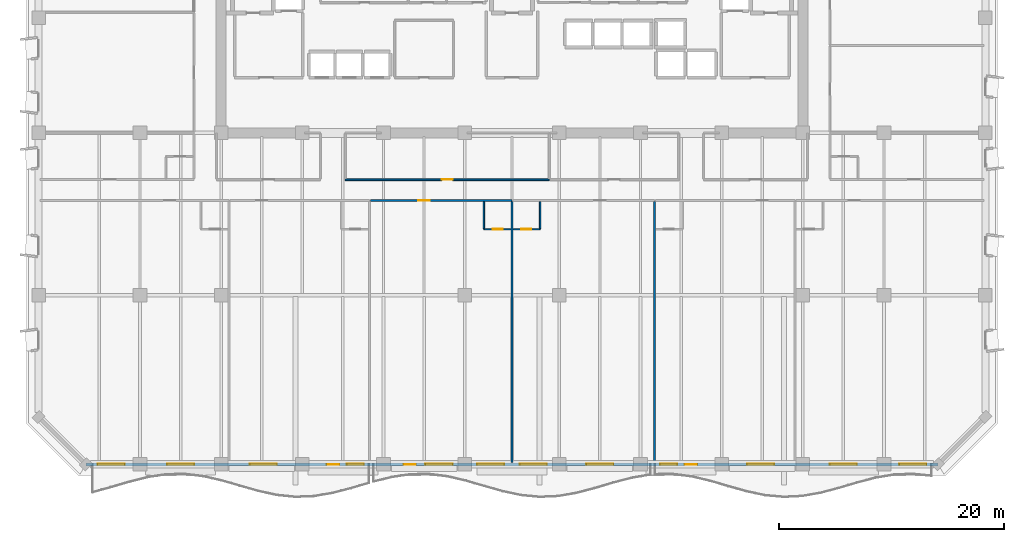
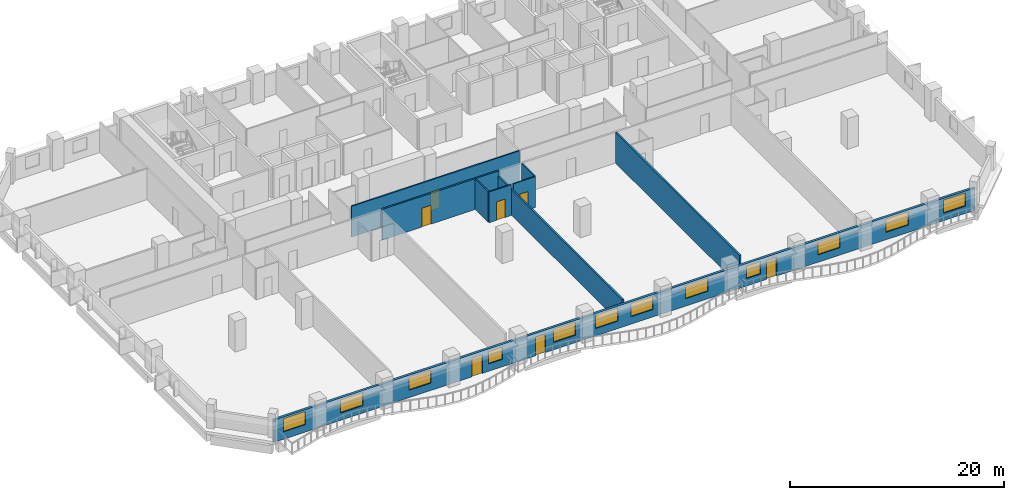
# One storey, part 5 of 15: 12 windows, 9 walls, 7 doors, 19 openings.
"""IFC4 building model written with IfcOpenShell, lengths in metres."""

from ifc_helpers import new_model, si_unit, direction, frame, frame_2d, origin, place, context, subcontext, project, spatial, rectangle, extrude, material, layer, layer_set, type_object, element, fill, save


model = new_model("IFC4")

# Units and contexts
model_context = context("Model", 3, precision=1e-05, world=origin(), true_north=direction((0.0, 1.0)))
body_context = subcontext(model_context, "Body", "Model", "MODEL_VIEW")
ifc_project = project(units=[si_unit("LENGTHUNIT", "METRE"), si_unit("AREAUNIT", "SQUARE_METRE"), si_unit("VOLUMEUNIT", "CUBIC_METRE"), si_unit("PLANEANGLEUNIT", "RADIAN"), si_unit("MASSUNIT", "GRAM", prefix="KILO")], contexts=[model_context])

# Site, building, storey
site_placement = place(None, origin())
site = spatial("IfcSite", under=ifc_project, at=site_placement, CompositionType="ELEMENT")
building_placement = place(site_placement, origin())
building = spatial("IfcBuilding", under=site, at=building_placement, Name="Kaelvorn Grand Hotel", CompositionType="ELEMENT")
storey_placement = place(building_placement, frame((0.0, 0.0, 115.550048828125)))
storey = spatial("IfcBuildingStorey", under=building, at=storey_placement, Name="L27", CompositionType="ELEMENT", Elevation=115.550048828125)

# Wall, openings, doors, windows
ifc_material_1 = material(Name="Concrete C40/50", Category="concrete")
ifc_layer_1 = layer(ifc_material_1, 0.260009765625)
ifc_layer_set_1 = layer_set([ifc_layer_1], Name="Concrete C40/50")
wall_type_1 = type_object("IfcWallType", Name="WL-EXT-260-C40", PredefinedType="SOLIDWALL", material=ifc_layer_set_1)
wall_1_placement = place(storey_placement, frame((4.199951171875, 0.0, 0.0), z_axis=(0.0, 0.0, 1.0), x_axis=(1.0, 0.0, 0.0)))
wall_1 = element("IfcWall", 1, at=wall_1_placement, inside=storey, type_object=wall_type_1, Name="L27 Exterior Architectural Concrete Wall 01", PredefinedType="SOLIDWALL", context=body_context, shape_type="SweptSolid", body=[
    extrude(rectangle(XDim=75.60009765625, YDim=0.260009765625, at=frame_2d((37.800048828125, 0.0))), origin(), (0.0, 0.0, 1.0), 2.56005859375),
])
opening_1_placement = place(wall_1_placement, frame((21.38330078125, 0.0, 0.0)))
opening_1 = element("IfcOpeningElement", 2, at=opening_1_placement, cuts=wall_1, Name="Opening DE2", PredefinedType="OPENING", context=body_context, shape_type="SweptSolid", body=[
    extrude(rectangle(XDim=1.10009765625, YDim=2.14990234375, at=frame_2d((0.550048828125, 1.074951171875))), frame((0.0, 0.14013671875, 0.0), z_axis=(0.0, -1.0, 0.0), x_axis=(1.0, 0.0, 0.0)), (0.0, 0.0, 1.0), 0.280029296875),
])
opening_2_placement = place(wall_1_placement, frame((28.183349609375, 0.0, 0.0)))
opening_2 = element("IfcOpeningElement", 3, at=opening_2_placement, cuts=wall_1, Name="Opening DE2", PredefinedType="OPENING", context=body_context, shape_type="SweptSolid", body=[
    extrude(rectangle(XDim=1.10009765625, YDim=2.14990234375, at=frame_2d((0.550048828125, 1.074951171875))), frame((0.0, 0.14013671875, 0.0), z_axis=(0.0, -1.0, 0.0), x_axis=(1.0, 0.0, 0.0)), (0.0, 0.0, 1.0), 0.280029296875),
])
opening_3_placement = place(wall_1_placement, frame((53.11669921875, 0.0, 0.0)))
opening_3 = element("IfcOpeningElement", 4, at=opening_3_placement, cuts=wall_1, Name="Opening DE2", PredefinedType="OPENING", context=body_context, shape_type="SweptSolid", body=[
    extrude(rectangle(XDim=1.10009765625, YDim=2.14990234375, at=frame_2d((0.550048828125, 1.074951171875))), frame((0.0, 0.14013671875, 0.0), z_axis=(0.0, -1.0, 0.0), x_axis=(1.0, 0.0, 0.0)), (0.0, 0.0, 1.0), 0.280029296875),
])
opening_4_placement = place(wall_1_placement, frame((1.034912109375, 0.0, 0.85009765625)))
opening_4 = element("IfcOpeningElement", 5, at=opening_4_placement, cuts=wall_1, Name="Opening W6", PredefinedType="OPENING", context=body_context, shape_type="SweptSolid", body=[
    extrude(rectangle(XDim=2.39990234375, YDim=1.5, at=frame_2d((1.199951171875, 0.75))), frame((0.0, 0.14013671875, 0.0), z_axis=(0.0, -1.0, 0.0), x_axis=(1.0, 0.0, 0.0)), (0.0, 0.0, 1.0), 0.280029296875),
])
opening_5_placement = place(wall_1_placement, frame((7.199951171875, 0.0, 0.85009765625)))
opening_5 = element("IfcOpeningElement", 6, at=opening_5_placement, cuts=wall_1, Name="Opening W6", PredefinedType="OPENING", context=body_context, shape_type="SweptSolid", body=[
    extrude(rectangle(XDim=2.39990234375, YDim=1.5, at=frame_2d((1.199951171875, 0.75))), frame((0.0, 0.14013671875, 0.0), z_axis=(0.0, -1.0, 0.0), x_axis=(1.0, 0.0, 0.0)), (0.0, 0.0, 1.0), 0.280029296875),
])
opening_6_placement = place(wall_1_placement, frame((14.550048828125, 0.0, 0.85009765625)))
opening_6 = element("IfcOpeningElement", 7, at=opening_6_placement, cuts=wall_1, Name="Opening W6", PredefinedType="OPENING", context=body_context, shape_type="SweptSolid", body=[
    extrude(rectangle(XDim=2.39990234375, YDim=1.5, at=frame_2d((1.199951171875, 0.75))), frame((0.0, 0.14013671875, 0.0), z_axis=(0.0, -1.0, 0.0), x_axis=(1.0, 0.0, 0.0)), (0.0, 0.0, 1.0), 0.280029296875),
])
opening_7_placement = place(wall_1_placement, frame((23.151123046875, 0.0, 0.85009765625)))
opening_7 = element("IfcOpeningElement", 8, at=opening_7_placement, cuts=wall_1, Name="Opening W10", PredefinedType="OPENING", context=body_context, shape_type="SweptSolid", body=[
    extrude(rectangle(XDim=1.5, YDim=1.39990234375, at=frame_2d((0.75, 0.699951171875))), frame((0.0, 0.14013671875, 0.0), z_axis=(0.0, -1.0, 0.0), x_axis=(1.0, 0.0, 0.0)), (0.0, 0.0, 1.0), 0.280029296875),
])
opening_8_placement = place(wall_1_placement, frame((30.126708984375, 0.0, 0.85009765625)))
opening_8 = element("IfcOpeningElement", 9, at=opening_8_placement, cuts=wall_1, Name="Opening W6", PredefinedType="OPENING", context=body_context, shape_type="SweptSolid", body=[
    extrude(rectangle(XDim=2.39990234375, YDim=1.5, at=frame_2d((1.199951171875, 0.75))), frame((0.0, 0.14013671875, 0.0), z_axis=(0.0, -1.0, 0.0), x_axis=(1.0, 0.0, 0.0)), (0.0, 0.0, 1.0), 0.280029296875),
])
opening_9_placement = place(wall_1_placement, frame((34.699951171875, 0.0, 0.85009765625)))
opening_9 = element("IfcOpeningElement", 10, at=opening_9_placement, cuts=wall_1, Name="Opening W6", PredefinedType="OPENING", context=body_context, shape_type="SweptSolid", body=[
    extrude(rectangle(XDim=2.39990234375, YDim=1.5, at=frame_2d((1.199951171875, 0.75))), frame((0.0, 0.14013671875, 0.0), z_axis=(0.0, -1.0, 0.0), x_axis=(1.0, 0.0, 0.0)), (0.0, 0.0, 1.0), 0.280029296875),
])
opening_10_placement = place(wall_1_placement, frame((38.5, 0.0, 0.85009765625)))
opening_10 = element("IfcOpeningElement", 11, at=opening_10_placement, cuts=wall_1, Name="Opening W6", PredefinedType="OPENING", context=body_context, shape_type="SweptSolid", body=[
    extrude(rectangle(XDim=2.39990234375, YDim=1.5, at=frame_2d((1.199951171875, 0.75))), frame((0.0, 0.14013671875, 0.0), z_axis=(0.0, -1.0, 0.0), x_axis=(1.0, 0.0, 0.0)), (0.0, 0.0, 1.0), 0.280029296875),
])
opening_11_placement = place(wall_1_placement, frame((44.39990234375, 0.0, 0.85009765625)))
opening_11 = element("IfcOpeningElement", 12, at=opening_11_placement, cuts=wall_1, Name="Opening W6", PredefinedType="OPENING", context=body_context, shape_type="SweptSolid", body=[
    extrude(rectangle(XDim=2.39990234375, YDim=1.5, at=frame_2d((1.199951171875, 0.75))), frame((0.0, 0.14013671875, 0.0), z_axis=(0.0, -1.0, 0.0), x_axis=(1.0, 0.0, 0.0)), (0.0, 0.0, 1.0), 0.280029296875),
])
opening_12_placement = place(wall_1_placement, frame((50.948974609375, 0.0, 0.85009765625)))
opening_12 = element("IfcOpeningElement", 13, at=opening_12_placement, cuts=wall_1, Name="Opening W10", PredefinedType="OPENING", context=body_context, shape_type="SweptSolid", body=[
    extrude(rectangle(XDim=1.5, YDim=1.39990234375, at=frame_2d((0.75, 0.699951171875))), frame((0.0, 0.14013671875, 0.0), z_axis=(0.0, -1.0, 0.0), x_axis=(1.0, 0.0, 0.0)), (0.0, 0.0, 1.0), 0.280029296875),
])
opening_13_placement = place(wall_1_placement, frame((58.64990234375, 0.0, 0.85009765625)))
opening_13 = element("IfcOpeningElement", 14, at=opening_13_placement, cuts=wall_1, Name="Opening W6", PredefinedType="OPENING", context=body_context, shape_type="SweptSolid", body=[
    extrude(rectangle(XDim=2.39990234375, YDim=1.5, at=frame_2d((1.199951171875, 0.75))), frame((0.0, 0.14013671875, 0.0), z_axis=(0.0, -1.0, 0.0), x_axis=(1.0, 0.0, 0.0)), (0.0, 0.0, 1.0), 0.280029296875),
])
opening_14_placement = place(wall_1_placement, frame((66.0, 0.0, 0.85009765625)))
opening_14 = element("IfcOpeningElement", 15, at=opening_14_placement, cuts=wall_1, Name="Opening W6", PredefinedType="OPENING", context=body_context, shape_type="SweptSolid", body=[
    extrude(rectangle(XDim=2.39990234375, YDim=1.5, at=frame_2d((1.199951171875, 0.75))), frame((0.0, 0.14013671875, 0.0), z_axis=(0.0, -1.0, 0.0), x_axis=(1.0, 0.0, 0.0)), (0.0, 0.0, 1.0), 0.280029296875),
])
opening_15_placement = place(wall_1_placement, frame((72.1650390625, 0.0, 0.85009765625)))
opening_15 = element("IfcOpeningElement", 16, at=opening_15_placement, cuts=wall_1, Name="Opening W6", PredefinedType="OPENING", context=body_context, shape_type="SweptSolid", body=[
    extrude(rectangle(XDim=2.39990234375, YDim=1.5, at=frame_2d((1.199951171875, 0.75))), frame((0.0, 0.14013671875, 0.0), z_axis=(0.0, -1.0, 0.0), x_axis=(1.0, 0.0, 0.0)), (0.0, 0.0, 1.0), 0.280029296875),
])
ifc_material_2 = material(Name="Anodised Aluminium", Category="aluminium")
door_type_1 = type_object("IfcDoorType", Name="DR-EXT-BALC-1100x2150", OperationType="NOTDEFINED", PredefinedType="DOOR", material=ifc_material_2)
door_1_placement = place(opening_1_placement, origin())
door_1 = element("IfcDoor", 17, at=door_1_placement, inside=storey, type_object=door_type_1, Name="L27 Scalloped Balcony Glazed Door DE2-1", OperationType="SINGLE_SWING_LEFT", OverallHeight=2.14990234375, OverallWidth=1.10009765625, PredefinedType="DOOR", context=body_context, shape_type="SweptSolid", body=[
    extrude(rectangle(XDim=1.10009765625, YDim=2.14990234375, at=frame_2d((0.550048828125, 1.074951171875))), frame((0.0, 0.02490234375, 0.0), z_axis=(0.0, -1.0, 0.0), x_axis=(1.0, 0.0, 0.0)), (0.0, 0.0, 1.0), 0.050048828125),
])
fill(opening_1, door_1)
door_2_placement = place(opening_2_placement, origin())
door_2 = element("IfcDoor", 18, at=door_2_placement, inside=storey, type_object=door_type_1, Name="L27 Scalloped Balcony Glazed Door DE2-2", OperationType="SINGLE_SWING_RIGHT", OverallHeight=2.14990234375, OverallWidth=1.10009765625, PredefinedType="DOOR", context=body_context, shape_type="SweptSolid", body=[
    extrude(rectangle(XDim=1.10009765625, YDim=2.14990234375, at=frame_2d((0.550048828125, 1.074951171875))), frame((0.0, 0.02490234375, 0.0), z_axis=(0.0, -1.0, 0.0), x_axis=(1.0, 0.0, 0.0)), (0.0, 0.0, 1.0), 0.050048828125),
])
fill(opening_2, door_2)
door_3_placement = place(opening_3_placement, origin())
door_3 = element("IfcDoor", 19, at=door_3_placement, inside=storey, type_object=door_type_1, Name="L27 Scalloped Balcony Glazed Door DE2-3", OperationType="SINGLE_SWING_LEFT", OverallHeight=2.14990234375, OverallWidth=1.10009765625, PredefinedType="DOOR", context=body_context, shape_type="SweptSolid", body=[
    extrude(rectangle(XDim=1.10009765625, YDim=2.14990234375, at=frame_2d((0.550048828125, 1.074951171875))), frame((0.0, 0.02490234375, 0.0), z_axis=(0.0, -1.0, 0.0), x_axis=(1.0, 0.0, 0.0)), (0.0, 0.0, 1.0), 0.050048828125),
])
fill(opening_3, door_3)
ifc_material_3 = material(Name="Laminated Low-E Glass", Category="glass")
window_type_1 = type_object("IfcWindowType", Name="WIN-COR-1500x1400", PartitioningType="SINGLE_PANEL", PredefinedType="WINDOW", material=ifc_material_3)
window_1_placement = place(opening_7_placement, origin())
window_1 = element("IfcWindow", 20, at=window_1_placement, inside=storey, type_object=window_type_1, Name="L27 South Guestroom Ribbon Window SR04", OverallHeight=1.39990234375, OverallWidth=1.5, PartitioningType="SINGLE_PANEL", PredefinedType="WINDOW", context=body_context, shape_type="SweptSolid", body=[
    extrude(rectangle(XDim=1.5, YDim=1.39990234375, at=frame_2d((0.75, 0.699951171875))), frame((0.0, 0.030029296875, 0.0), z_axis=(0.0, -1.0, 0.0), x_axis=(1.0, 0.0, 0.0)), (0.0, 0.0, 1.0), 0.06005859375),
])
fill(opening_7, window_1)
window_2_placement = place(opening_12_placement, origin())
window_2 = element("IfcWindow", 21, at=window_2_placement, inside=storey, type_object=window_type_1, Name="L27 South Guestroom Ribbon Window SR09", OverallHeight=1.39990234375, OverallWidth=1.5, PartitioningType="SINGLE_PANEL", PredefinedType="WINDOW", context=body_context, shape_type="SweptSolid", body=[
    extrude(rectangle(XDim=1.5, YDim=1.39990234375, at=frame_2d((0.75, 0.699951171875))), frame((0.0, 0.030029296875, 0.0), z_axis=(0.0, -1.0, 0.0), x_axis=(1.0, 0.0, 0.0)), (0.0, 0.0, 1.0), 0.06005859375),
])
fill(opening_12, window_2)
window_type_2 = type_object("IfcWindowType", Name="WIN-NTH-2400x1500", PartitioningType="SINGLE_PANEL", PredefinedType="WINDOW", material=ifc_material_3)
window_3_placement = place(opening_4_placement, origin())
window_3 = element("IfcWindow", 22, at=window_3_placement, inside=storey, type_object=window_type_2, Name="L27 South Guestroom Ribbon Window SR01", OverallHeight=1.5, OverallWidth=2.39990234375, PartitioningType="SINGLE_PANEL", PredefinedType="WINDOW", context=body_context, shape_type="SweptSolid", body=[
    extrude(rectangle(XDim=2.39990234375, YDim=1.5, at=frame_2d((1.199951171875, 0.75))), frame((0.0, 0.030029296875, 0.0), z_axis=(0.0, -1.0, 0.0), x_axis=(1.0, 0.0, 0.0)), (0.0, 0.0, 1.0), 0.06005859375),
])
fill(opening_4, window_3)
window_4_placement = place(opening_5_placement, origin())
window_4 = element("IfcWindow", 23, at=window_4_placement, inside=storey, type_object=window_type_2, Name="L27 South Guestroom Ribbon Window SR02", OverallHeight=1.5, OverallWidth=2.39990234375, PartitioningType="SINGLE_PANEL", PredefinedType="WINDOW", context=body_context, shape_type="SweptSolid", body=[
    extrude(rectangle(XDim=2.39990234375, YDim=1.5, at=frame_2d((1.199951171875, 0.75))), frame((0.0, 0.030029296875, 0.0), z_axis=(0.0, -1.0, 0.0), x_axis=(1.0, 0.0, 0.0)), (0.0, 0.0, 1.0), 0.06005859375),
])
fill(opening_5, window_4)
window_5_placement = place(opening_6_placement, origin())
window_5 = element("IfcWindow", 24, at=window_5_placement, inside=storey, type_object=window_type_2, Name="L27 South Guestroom Ribbon Window SR03", OverallHeight=1.5, OverallWidth=2.39990234375, PartitioningType="SINGLE_PANEL", PredefinedType="WINDOW", context=body_context, shape_type="SweptSolid", body=[
    extrude(rectangle(XDim=2.39990234375, YDim=1.5, at=frame_2d((1.199951171875, 0.75))), frame((0.0, 0.030029296875, 0.0), z_axis=(0.0, -1.0, 0.0), x_axis=(1.0, 0.0, 0.0)), (0.0, 0.0, 1.0), 0.06005859375),
])
fill(opening_6, window_5)
window_6_placement = place(opening_8_placement, origin())
window_6 = element("IfcWindow", 25, at=window_6_placement, inside=storey, type_object=window_type_2, Name="L27 South Guestroom Ribbon Window SR05", OverallHeight=1.5, OverallWidth=2.39990234375, PartitioningType="SINGLE_PANEL", PredefinedType="WINDOW", context=body_context, shape_type="SweptSolid", body=[
    extrude(rectangle(XDim=2.39990234375, YDim=1.5, at=frame_2d((1.199951171875, 0.75))), frame((0.0, 0.030029296875, 0.0), z_axis=(0.0, -1.0, 0.0), x_axis=(1.0, 0.0, 0.0)), (0.0, 0.0, 1.0), 0.06005859375),
])
fill(opening_8, window_6)
window_7_placement = place(opening_9_placement, origin())
window_7 = element("IfcWindow", 26, at=window_7_placement, inside=storey, type_object=window_type_2, Name="L27 South Guestroom Ribbon Window SR06", OverallHeight=1.5, OverallWidth=2.39990234375, PartitioningType="SINGLE_PANEL", PredefinedType="WINDOW", context=body_context, shape_type="SweptSolid", body=[
    extrude(rectangle(XDim=2.39990234375, YDim=1.5, at=frame_2d((1.199951171875, 0.75))), frame((0.0, 0.030029296875, 0.0), z_axis=(0.0, -1.0, 0.0), x_axis=(1.0, 0.0, 0.0)), (0.0, 0.0, 1.0), 0.06005859375),
])
fill(opening_9, window_7)
window_8_placement = place(opening_10_placement, origin())
window_8 = element("IfcWindow", 27, at=window_8_placement, inside=storey, type_object=window_type_2, Name="L27 South Guestroom Ribbon Window SR07", OverallHeight=1.5, OverallWidth=2.39990234375, PartitioningType="SINGLE_PANEL", PredefinedType="WINDOW", context=body_context, shape_type="SweptSolid", body=[
    extrude(rectangle(XDim=2.39990234375, YDim=1.5, at=frame_2d((1.199951171875, 0.75))), frame((0.0, 0.030029296875, 0.0), z_axis=(0.0, -1.0, 0.0), x_axis=(1.0, 0.0, 0.0)), (0.0, 0.0, 1.0), 0.06005859375),
])
fill(opening_10, window_8)
window_9_placement = place(opening_11_placement, origin())
window_9 = element("IfcWindow", 28, at=window_9_placement, inside=storey, type_object=window_type_2, Name="L27 South Guestroom Ribbon Window SR08", OverallHeight=1.5, OverallWidth=2.39990234375, PartitioningType="SINGLE_PANEL", PredefinedType="WINDOW", context=body_context, shape_type="SweptSolid", body=[
    extrude(rectangle(XDim=2.39990234375, YDim=1.5, at=frame_2d((1.199951171875, 0.75))), frame((0.0, 0.030029296875, 0.0), z_axis=(0.0, -1.0, 0.0), x_axis=(1.0, 0.0, 0.0)), (0.0, 0.0, 1.0), 0.06005859375),
])
fill(opening_11, window_9)
window_10_placement = place(opening_13_placement, origin())
window_10 = element("IfcWindow", 29, at=window_10_placement, inside=storey, type_object=window_type_2, Name="L27 South Guestroom Ribbon Window SR10", OverallHeight=1.5, OverallWidth=2.39990234375, PartitioningType="SINGLE_PANEL", PredefinedType="WINDOW", context=body_context, shape_type="SweptSolid", body=[
    extrude(rectangle(XDim=2.39990234375, YDim=1.5, at=frame_2d((1.199951171875, 0.75))), frame((0.0, 0.030029296875, 0.0), z_axis=(0.0, -1.0, 0.0), x_axis=(1.0, 0.0, 0.0)), (0.0, 0.0, 1.0), 0.06005859375),
])
fill(opening_13, window_10)
window_11_placement = place(opening_14_placement, origin())
window_11 = element("IfcWindow", 30, at=window_11_placement, inside=storey, type_object=window_type_2, Name="L27 South Guestroom Ribbon Window SR11", OverallHeight=1.5, OverallWidth=2.39990234375, PartitioningType="SINGLE_PANEL", PredefinedType="WINDOW", context=body_context, shape_type="SweptSolid", body=[
    extrude(rectangle(XDim=2.39990234375, YDim=1.5, at=frame_2d((1.199951171875, 0.75))), frame((0.0, 0.030029296875, 0.0), z_axis=(0.0, -1.0, 0.0), x_axis=(1.0, 0.0, 0.0)), (0.0, 0.0, 1.0), 0.06005859375),
])
fill(opening_14, window_11)
window_12_placement = place(opening_15_placement, origin())
window_12 = element("IfcWindow", 31, at=window_12_placement, inside=storey, type_object=window_type_2, Name="L27 South Guestroom Ribbon Window SR12", OverallHeight=1.5, OverallWidth=2.39990234375, PartitioningType="SINGLE_PANEL", PredefinedType="WINDOW", context=body_context, shape_type="SweptSolid", body=[
    extrude(rectangle(XDim=2.39990234375, YDim=1.5, at=frame_2d((1.199951171875, 0.75))), frame((0.0, 0.030029296875, 0.0), z_axis=(0.0, -1.0, 0.0), x_axis=(1.0, 0.0, 0.0)), (0.0, 0.0, 1.0), 0.06005859375),
])
fill(opening_15, window_12)

# Wall, opening, door
ifc_material_4 = material(Name="Moisture-Resistant Tile & Stud Board")
ifc_layer_2 = layer(ifc_material_4, 0.125)
ifc_layer_set_2 = layer_set([ifc_layer_2], Name="Moisture-Resistant Tile & Stud Board")
wall_type_2 = type_object("IfcWallType", Name="WL-PART-125-WET", PredefinedType="PARTITIONING", material=ifc_layer_set_2)
wall_2_placement = place(storey_placement, frame((39.5, 20.85009765625, 0.0), z_axis=(0.0, 0.0, 1.0), x_axis=(1.0, 0.0, 0.0)))
wall_2 = element("IfcWall", 32, at=wall_2_placement, inside=storey, type_object=wall_type_2, Name="L27 En-suite Bathroom L27-03 S Partition", PredefinedType="PARTITIONING", context=body_context, shape_type="SweptSolid", body=[
    extrude(rectangle(XDim=2.405029296875, YDim=0.125, at=frame_2d((1.20263671875, 0.0))), origin(), (0.0, 0.0, 1.0), 3.510009765625),
])
opening_16_placement = place(wall_2_placement, frame((0.800048828125, 0.0, 0.0)))
opening_16 = element("IfcOpeningElement", 33, at=opening_16_placement, cuts=wall_2, Name="Opening DI4", PredefinedType="OPENING", context=body_context, shape_type="SweptSolid", body=[
    extrude(rectangle(XDim=0.89990234375, YDim=2.10009765625, at=frame_2d((0.449951171875, 1.050048828125))), frame((0.0, 0.072509765625, 0.0), z_axis=(0.0, -1.0, 0.0), x_axis=(1.0, 0.0, 0.0)), (0.0, 0.0, 1.0), 0.14501953125),
])
ifc_material_5 = material(Name="Timber Veneer Leaf", Category="wood")
door_type_2 = type_object("IfcDoorType", Name="DR-INT-BATH-900x2100", OperationType="NOTDEFINED", PredefinedType="DOOR", material=ifc_material_5)
door_4_placement = place(opening_16_placement, origin())
door_4 = element("IfcDoor", 34, at=door_4_placement, inside=storey, type_object=door_type_2, Name="L27 En-suite Bathroom L27-03 Door", OperationType="SINGLE_SWING_LEFT", OverallHeight=2.10009765625, OverallWidth=0.89990234375, PredefinedType="DOOR", context=body_context, shape_type="SweptSolid", body=[
    extrude(rectangle(XDim=0.89990234375, YDim=2.10009765625, at=frame_2d((0.449951171875, 1.050048828125))), frame((0.0, 0.02490234375, 0.0), z_axis=(0.0, -1.0, 0.0), x_axis=(1.0, 0.0, 0.0)), (0.0, 0.0, 1.0), 0.050048828125),
])
fill(opening_16, door_4)

# Wall
wall_3_placement = place(storey_placement, frame((39.5, 20.91748046875, 0.0), z_axis=(0.0, 0.0, 1.0), x_axis=(0.0, 1.0, 0.0)))
element("IfcWall", 35, at=wall_3_placement, inside=storey, type_object=wall_type_2, Name="L27 En-suite Bathroom L27-03 W Partition", PredefinedType="PARTITIONING", context=body_context, shape_type="SweptSolid", body=[
    extrude(rectangle(XDim=2.387451171875, YDim=0.125, at=frame_2d((1.19384765625, 0.0))), origin(), (0.0, 0.0, 1.0), 3.510009765625),
])

# Wall, opening, door
wall_4_placement = place(storey_placement, frame((42.094970703125, 20.85009765625, 0.0), z_axis=(0.0, 0.0, 1.0), x_axis=(1.0, 0.0, 0.0)))
wall_4 = element("IfcWall", 36, at=wall_4_placement, inside=storey, type_object=wall_type_2, Name="L27 En-suite Bathroom L27-04 S Partition", PredefinedType="PARTITIONING", context=body_context, shape_type="SweptSolid", body=[
    extrude(rectangle(XDim=2.405029296875, YDim=0.125, at=frame_2d((1.20263671875, 0.0))), origin(), (0.0, 0.0, 1.0), 3.510009765625),
])
opening_17_placement = place(wall_4_placement, frame((0.705078125, 0.0, 0.0)))
opening_17 = element("IfcOpeningElement", 37, at=opening_17_placement, cuts=wall_4, Name="Opening DI4", PredefinedType="OPENING", context=body_context, shape_type="SweptSolid", body=[
    extrude(rectangle(XDim=0.89990234375, YDim=2.10009765625, at=frame_2d((0.449951171875, 1.050048828125))), frame((0.0, 0.072509765625, 0.0), z_axis=(0.0, -1.0, 0.0), x_axis=(1.0, 0.0, 0.0)), (0.0, 0.0, 1.0), 0.14501953125),
])
door_5_placement = place(opening_17_placement, origin())
door_5 = element("IfcDoor", 38, at=door_5_placement, inside=storey, type_object=door_type_2, Name="L27 En-suite Bathroom L27-04 Door", OperationType="SINGLE_SWING_LEFT", OverallHeight=2.10009765625, OverallWidth=0.89990234375, PredefinedType="DOOR", context=body_context, shape_type="SweptSolid", body=[
    extrude(rectangle(XDim=0.89990234375, YDim=2.10009765625, at=frame_2d((0.449951171875, 1.050048828125))), frame((0.0, 0.02490234375, 0.0), z_axis=(0.0, -1.0, 0.0), x_axis=(1.0, 0.0, 0.0)), (0.0, 0.0, 1.0), 0.050048828125),
])
fill(opening_17, door_5)

# Wall
wall_5_placement = place(storey_placement, frame((44.5, 20.91748046875, 0.0), z_axis=(0.0, 0.0, 1.0), x_axis=(0.0, 1.0, 0.0)))
element("IfcWall", 39, at=wall_5_placement, inside=storey, type_object=wall_type_2, Name="L27 En-suite Bathroom L27-04 E Partition", PredefinedType="PARTITIONING", context=body_context, shape_type="SweptSolid", body=[
    extrude(rectangle(XDim=2.387451171875, YDim=0.125, at=frame_2d((1.19384765625, 0.0))), origin(), (0.0, 0.0, 1.0), 3.510009765625),
])

# Wall, opening, door
ifc_material_6 = material(Name="Acoustic Gypsum & Stud Partition")
ifc_layer_3 = layer(ifc_material_6, 0.14990234375)
ifc_layer_set_3 = layer_set([ifc_layer_3], Name="Acoustic Gypsum & Stud Partition")
wall_type_3 = type_object("IfcWallType", Name="WL-PART-150-EI60", PredefinedType="PARTITIONING", material=ifc_layer_set_3)
wall_6_placement = place(storey_placement, frame((27.199951171875, 25.25, 0.0), z_axis=(0.0, 0.0, 1.0), x_axis=(1.0, 0.0, 0.0)))
wall_6 = element("IfcWall", 40, at=wall_6_placement, inside=storey, type_object=wall_type_3, Name="L27 Catering Servery Kitchen S Partition", PredefinedType="PARTITIONING", context=body_context, shape_type="SweptSolid", body=[
    extrude(rectangle(XDim=18.10009765625, YDim=0.14990234375, at=frame_2d((9.050048828125, 0.0))), origin(), (0.0, 0.0, 1.0), 3.510009765625),
])
opening_18_placement = place(wall_6_placement, frame((8.550048828125, 0.0, 0.0)))
opening_18 = element("IfcOpeningElement", 41, at=opening_18_placement, cuts=wall_6, Name="Opening DI3", PredefinedType="OPENING", context=body_context, shape_type="SweptSolid", body=[
    extrude(rectangle(XDim=1.0, YDim=2.14990234375, at=frame_2d((0.5, 1.074951171875))), frame((0.0, 0.0849609375, 0.0), z_axis=(0.0, -1.0, 0.0), x_axis=(1.0, 0.0, 0.0)), (0.0, 0.0, 1.0), 0.169921875),
])
ifc_material_7 = material(Name="Timber Veneer Fire Leaf", Category="wood")
door_type_3 = type_object("IfcDoorType", Name="DR-INT-GUEST-1000x2150", OperationType="NOTDEFINED", PredefinedType="DOOR", material=ifc_material_7)
door_6_placement = place(opening_18_placement, origin())
door_6 = element("IfcDoor", 42, at=door_6_placement, inside=storey, type_object=door_type_3, Name="L27 Catering Servery Kitchen Door", OperationType="SINGLE_SWING_LEFT", OverallHeight=2.14990234375, OverallWidth=1.0, PredefinedType="DOOR", context=body_context, shape_type="SweptSolid", body=[
    extrude(rectangle(XDim=1.0, YDim=2.14990234375, at=frame_2d((0.5, 1.074951171875))), frame((0.0, 0.02490234375, 0.0), z_axis=(0.0, -1.0, 0.0), x_axis=(1.0, 0.0, 0.0)), (0.0, 0.0, 1.0), 0.050048828125),
])
fill(opening_18, door_6)

ifc_layer_4 = layer(ifc_material_6, 0.179931640625)
ifc_layer_set_4 = layer_set([ifc_layer_4], Name="Acoustic Gypsum & Stud Partition")
wall_type_4 = type_object("IfcWallType", Name="WL-PART-180-EI60", PredefinedType="PARTITIONING", material=ifc_layer_set_4)
wall_7_placement = place(storey_placement, frame((29.444580078125, 23.39990234375, 0.0), z_axis=(0.0, 0.0, 1.0), x_axis=(1.0, 0.0, 0.0)))
wall_7 = element("IfcWall", 43, at=wall_7_placement, inside=storey, type_object=wall_type_4, Name="L27 Presidential Sky Suite L27-03 N Partition", PredefinedType="PARTITIONING", context=body_context, shape_type="SweptSolid", body=[
    extrude(rectangle(XDim=12.555419921875, YDim=0.179931640625, at=frame_2d((6.27783203125, 0.0))), origin(), (0.0, 0.0, 1.0), 3.510009765625),
])
opening_19_placement = place(wall_7_placement, frame((4.255615234375, 0.0, 0.0)))
opening_19 = element("IfcOpeningElement", 44, at=opening_19_placement, cuts=wall_7, Name="Opening DI3", PredefinedType="OPENING", context=body_context, shape_type="SweptSolid", body=[
    extrude(rectangle(XDim=1.0, YDim=2.14990234375, at=frame_2d((0.5, 1.074951171875))), frame((0.0, 0.10009765625, 0.0), z_axis=(0.0, -1.0, 0.0), x_axis=(1.0, 0.0, 0.0)), (0.0, 0.0, 1.0), 0.199951171875),
])
door_7_placement = place(opening_19_placement, origin())
door_7 = element("IfcDoor", 45, at=door_7_placement, inside=storey, type_object=door_type_3, Name="L27 Presidential Sky Suite L27-03 Door", OperationType="SINGLE_SWING_RIGHT", OverallHeight=2.14990234375, OverallWidth=1.0, PredefinedType="DOOR", context=body_context, shape_type="SweptSolid", body=[
    extrude(rectangle(XDim=1.0, YDim=2.14990234375, at=frame_2d((0.5, 1.074951171875))), frame((0.0, 0.02490234375, 0.0), z_axis=(0.0, -1.0, 0.0), x_axis=(1.0, 0.0, 0.0)), (0.0, 0.0, 1.0), 0.050048828125),
])
fill(opening_19, door_7)

# Walls
wall_8_placement = place(storey_placement, frame((42.0, 0.14990234375, 0.0), z_axis=(0.0, 0.0, 1.0), x_axis=(0.0, 1.0, 0.0)))
element("IfcWall", 46, at=wall_8_placement, inside=storey, type_object=wall_type_4, Name="L27 Presidential Sky Suite L27-03 E Partition", PredefinedType="PARTITIONING", context=body_context, shape_type="SweptSolid", body=[
    extrude(rectangle(XDim=23.155029296875, YDim=0.179931640625, at=frame_2d((11.57763671875, 0.0))), origin(), (0.0, 0.0, 1.0), 2.897705078125),
])
wall_9_placement = place(storey_placement, frame((54.650390625, 0.14990234375, 0.0), z_axis=(0.0, 0.0, 1.0), x_axis=(0.0, 1.0, 0.0)))
element("IfcWall", 47, at=wall_9_placement, inside=storey, type_object=wall_type_4, Name="L27 Presidential Sky Suite L27-04 E Partition", PredefinedType="PARTITIONING", context=body_context, shape_type="SweptSolid", body=[
    extrude(rectangle(XDim=23.155029296875, YDim=0.179931640625, at=frame_2d((11.57763671875, 0.0))), origin(), (0.0, 0.0, 1.0), 3.510009765625),
])

save(model, "model.ifc")
